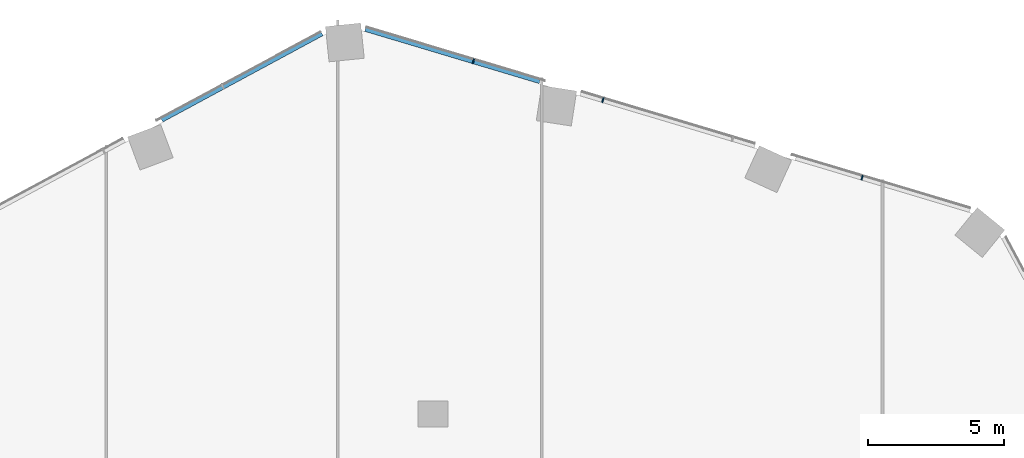
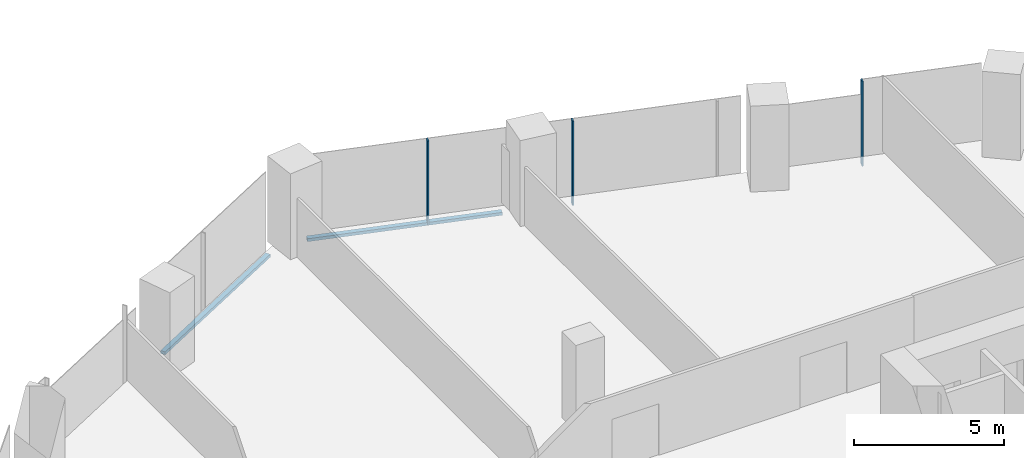
# One storey, part 12 of 34: 5 members, 2 elements without a shape of their own.
"""IFC4 building model written with IfcOpenShell, lengths in metres."""

from ifc_helpers import new_model, si_unit, direction, frame, origin, origin_2d, place, context, subcontext, project, spatial, rectangle, extrude, material, material_profile, profile_set, type_object, element, aggregate, save


model = new_model("IFC4")

# Units and contexts
model_context = context("Model", 3, precision=1e-05, world=origin(), true_north=direction((0.0, 1.0)))
body_context = subcontext(model_context, "Body", "Model", "MODEL_VIEW")
ifc_project = project(units=[si_unit("LENGTHUNIT", "METRE"), si_unit("AREAUNIT", "SQUARE_METRE"), si_unit("VOLUMEUNIT", "CUBIC_METRE"), si_unit("PLANEANGLEUNIT", "RADIAN"), si_unit("MASSUNIT", "GRAM", prefix="KILO")], contexts=[model_context])

# Site, building, storey
site_placement = place(None, origin())
site = spatial("IfcSite", under=ifc_project, at=site_placement, CompositionType="ELEMENT")
building_placement = place(site_placement, origin())
building = spatial("IfcBuilding", under=site, at=building_placement, Name="Orlundy Tower", CompositionType="ELEMENT")
storey_placement = place(building_placement, frame((0.0, 0.0, 137.699951171875)))
storey = spatial("IfcBuildingStorey", under=building, at=storey_placement, Name="L35", CompositionType="ELEMENT", Elevation=137.699951171875)

# Curtain wall, members
ifc_material_1 = material(Name="Aluminium bronze anodised", Category="aluminium")
curtain_wall_type = type_object("IfcCurtainWallType", Name="CW1 wall", PredefinedType="NOTDEFINED", material=ifc_material_1)
curtain_wall_1_placement = place(storey_placement, origin())
curtain_wall_1 = element("IfcCurtainWall", 1, at=curtain_wall_1_placement, inside=storey, type_object=curtain_wall_type, Name="CW1 run 04", PredefinedType="NOTDEFINED")
ifc_material_2 = material(Name="Aluminium bronze anodised", Category="aluminium")
ifc_material_profile_1 = material_profile(ifc_material_2, rectangle(XDim=0.179931640625, YDim=0.050048828125, at=origin_2d()), Name="CW1 mullion 50x180")
ifc_profile_set_1 = profile_set([ifc_material_profile_1], Name="Aluminium bronze anodised")
member_type_1 = type_object("IfcMemberType", Name="CW1 mullion 50x180", PredefinedType="MULLION", material=ifc_profile_set_1)
member_1_placement = place(storey_placement, frame((1.4873046875, 30.964599609375, -0.39990234375), z_axis=(0.0, 0.0, 1.0), x_axis=(0.286816257107, 0.957985612971, 0.0)))
member_1 = element("IfcMember", 2, at=member_1_placement, type_object=member_type_1, Name="CW1 mullion 20", PredefinedType="MULLION", context=body_context, shape_type="SweptSolid", body=[
    extrude(rectangle(XDim=0.179931640625, YDim=0.050048828125, at=origin_2d()), origin(), (0.0, 0.0, 1.0), 3.449951171875),
])
member_2_placement = place(storey_placement, frame((6.2490234375, 29.5390625, -0.39990234375), z_axis=(0.0, 0.0, 1.0), x_axis=(0.286816257107, 0.957985612971, 0.0)))
member_2 = element("IfcMember", 3, at=member_2_placement, type_object=member_type_1, Name="CW1 mullion 21", PredefinedType="MULLION", context=body_context, shape_type="SweptSolid", body=[
    extrude(rectangle(XDim=0.179931640625, YDim=0.050048828125, at=origin_2d()), origin(), (0.0, 0.0, 1.0), 3.449951171875),
])
member_3_placement = place(storey_placement, frame((15.772216796875, 26.687744140625, -0.39990234375), z_axis=(0.0, 0.0, 1.0), x_axis=(0.286816257107, 0.957985612971, 0.0)))
member_3 = element("IfcMember", 4, at=member_3_placement, type_object=member_type_1, Name="CW1 mullion 23", PredefinedType="MULLION", context=body_context, shape_type="SweptSolid", body=[
    extrude(rectangle(XDim=0.179931640625, YDim=0.050048828125, at=origin_2d()), origin(), (0.0, 0.0, 1.0), 3.449951171875),
])

# Curtain wall, member
curtain_wall_2_placement = place(storey_placement, origin())
curtain_wall_2 = element("IfcCurtainWall", 5, at=curtain_wall_2_placement, inside=storey, type_object=curtain_wall_type, Name="CW1 run 03", PredefinedType="NOTDEFINED")
ifc_material_3 = material(Name="Aluminium bronze anodised", Category="aluminium")
ifc_material_profile_2 = material_profile(ifc_material_3, rectangle(XDim=0.179931640625, YDim=0.1201171875, at=origin_2d()), Name="CW1 transom 180x120")
ifc_profile_set_2 = profile_set([ifc_material_profile_2], Name="Aluminium bronze anodised")
member_type_2 = type_object("IfcMemberType", Name="CW1 transom 180x120", PredefinedType="USERDEFINED", material=ifc_profile_set_2)
member_4_placement = place(storey_placement, frame((-9.9619140625, 28.81396484375, -0.33984375), z_axis=(0.880187434864, 0.474626252442, 0.0), x_axis=(-0.474626252442, 0.880187434864, 0.0)))
member_4 = element("IfcMember", 6, at=member_4_placement, type_object=member_type_2, Name="CW1 transom", ObjectType="TRANSOM", PredefinedType="USERDEFINED", context=body_context, shape_type="SweptSolid", body=[
    extrude(rectangle(XDim=0.179931640625, YDim=0.1201171875, at=origin_2d()), origin(), (0.0, 0.0, 1.0), 6.691650390625),
])
aggregate(curtain_wall_2, [member_4])

# Member
member_5_placement = place(storey_placement, frame((-2.48046875, 32.152587890625, -0.33984375), z_axis=(0.957982823238, -0.286825574838, 0.0), x_axis=(0.286825574838, 0.957982823238, 0.0)))
member_5 = element("IfcMember", 7, at=member_5_placement, type_object=member_type_2, Name="CW1 transom", ObjectType="TRANSOM", PredefinedType="USERDEFINED", context=body_context, shape_type="SweptSolid", body=[
    extrude(rectangle(XDim=0.179931640625, YDim=0.1201171875, at=origin_2d()), origin(), (0.0, 0.0, 1.0), 6.690185546875),
])

aggregate(curtain_wall_1, [member_1, member_2, member_3, member_5])

save(model, "model.ifc")
